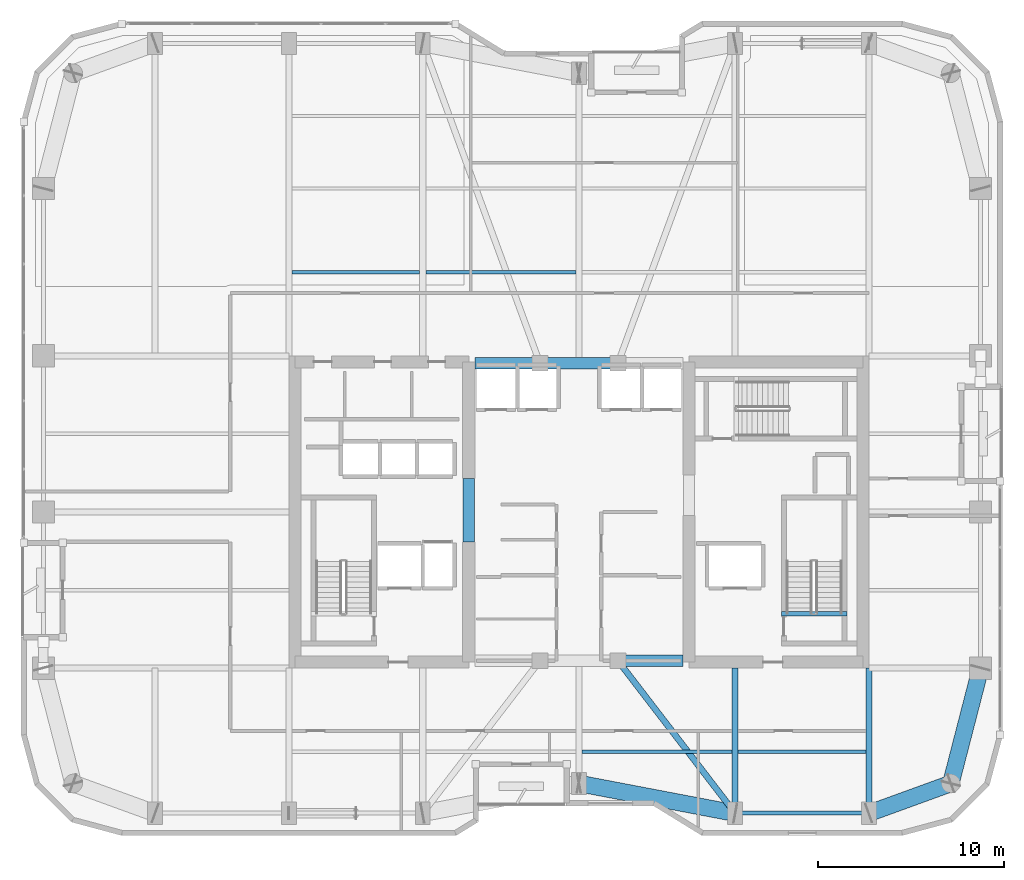
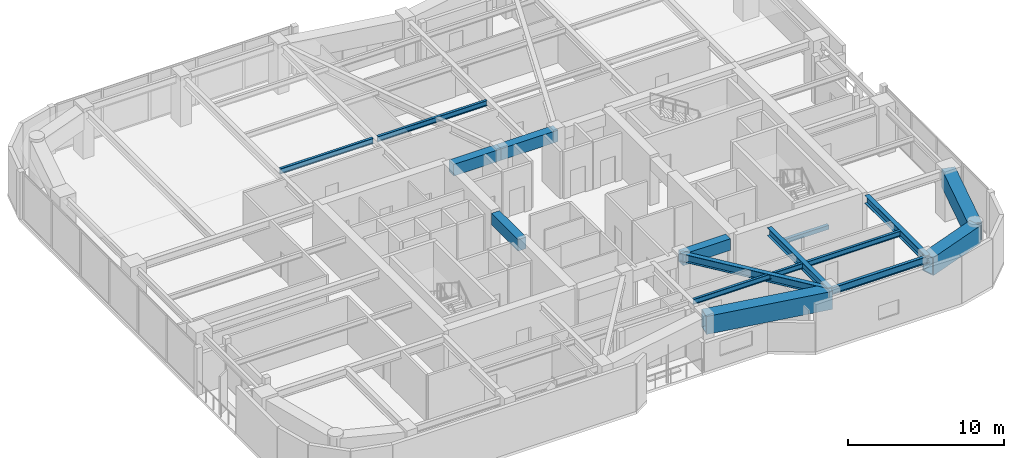
# One storey, part 8 of 30: 16 beams.
"""IFC4 building model written with IfcOpenShell, lengths in metres."""

from ifc_helpers import new_model, si_unit, direction, frame, origin, origin_2d, place, context, subcontext, project, spatial, rectangle, hollow_rectangle, i_section, extrude, material, material_profile, profile_set, type_object, element, save


model = new_model("IFC4")

# Units and contexts
model_context = context("Model", 3, precision=1e-05, world=origin(), true_north=direction((0.0, 1.0)))
body_context = subcontext(model_context, "Body", "Model", "MODEL_VIEW")
ifc_project = project(units=[si_unit("LENGTHUNIT", "METRE"), si_unit("AREAUNIT", "SQUARE_METRE"), si_unit("VOLUMEUNIT", "CUBIC_METRE"), si_unit("PLANEANGLEUNIT", "RADIAN"), si_unit("MASSUNIT", "GRAM", prefix="KILO")], contexts=[model_context])

# Site, building, storey
site_placement = place(None, origin())
site = spatial("IfcSite", under=ifc_project, at=site_placement, CompositionType="ELEMENT")
building_placement = place(site_placement, origin())
building = spatial("IfcBuilding", under=site, at=building_placement, Name="Kiyonajd Concourse Tower", CompositionType="ELEMENT")
storey_placement = place(building_placement, frame((0.0, 0.0, 190.199951171875)))
storey = spatial("IfcBuildingStorey", under=building, at=storey_placement, Name="L48", CompositionType="ELEMENT", Elevation=190.199951171875)

# Beams
ifc_material_1 = material(Name="Concrete C60/75", Category="concrete")
ifc_material_profile_1 = material_profile(ifc_material_1, rectangle(XDim=0.60009765625, YDim=0.89990234375, at=origin_2d()), Name="RCBM-600x900")
ifc_profile_set_1 = profile_set([ifc_material_profile_1], Name="Concrete C60/75")
beam_type_1 = type_object("IfcBeamType", Name="BM-COUP-900", PredefinedType="LINTEL", material=ifc_profile_set_1)
for number, where, z_axis, x_axis, name in (
    (1, (50.10009765625, 28.0, 3.22998046875), (1.0, 0.0, 0.0), (0.0, 1.0, 0.0), "L48 Core Coupling Beam S3"),
    (2, (42.39990234375, 44.0, 3.22998046875), (1.0, 0.0, 0.0), (0.0, 1.0, 0.0), "L48 Core Coupling Beam N1"),
):
    element("IfcBeam", number, at=place(storey_placement, frame(where, z_axis=z_axis, x_axis=x_axis)), inside=storey, type_object=beam_type_1, Name=name, PredefinedType="LINTEL", context=body_context, shape_type="SweptSolid", body=[
        extrude(rectangle(XDim=0.60009765625, YDim=0.89990234375, at=origin_2d()), origin(), (0.0, 0.0, 1.0), 3.5),
    ])
beam_1_placement = place(storey_placement, frame((45.89990234375, 44.0, 3.22998046875), z_axis=(1.0, 0.0, 0.0), x_axis=(0.0, 1.0, 0.0)))
element("IfcBeam", 3, at=beam_1_placement, inside=storey, type_object=beam_type_1, Name="L48 Core Coupling Beam N2", PredefinedType="LINTEL", context=body_context, shape_type="SweptSolid", body=[
    extrude(rectangle(XDim=0.60009765625, YDim=0.89990234375, at=origin_2d()), origin(), (0.0, 0.0, 1.0), 4.2001953125),
])
beam_2_placement = place(storey_placement, frame((42.074951171875, 34.39990234375, 3.22998046875), z_axis=(0.0, 1.0, 0.0), x_axis=(-1.0, 0.0, 0.0)))
element("IfcBeam", 4, at=beam_2_placement, inside=storey, type_object=beam_type_1, Name="L48 West Core Throat Coupling Lintel", PredefinedType="LINTEL", context=body_context, shape_type="SweptSolid", body=[
    extrude(rectangle(XDim=0.60009765625, YDim=0.89990234375, at=origin_2d()), origin(), (0.0, 0.0, 1.0), 3.400146484375),
])
ifc_material_2 = material(Name="Steel ASTM A992 Grade 50", Category="steel")
ifc_material_profile_2 = material_profile(ifc_material_2, i_section(OverallWidth=0.180908203125, OverallDepth=0.4169921875, WebThickness=0.010986328125, FlangeThickness=0.018310546875, at=origin_2d()), Name="W410X85")
ifc_profile_set_2 = profile_set([ifc_material_profile_2], Name="Steel ASTM A992 Grade 50")
beam_type_2 = type_object("IfcBeamType", Name="BM-JST-410", PredefinedType="JOIST", material=ifc_profile_set_2)
beam_3_placement = place(storey_placement, frame((48.16357421875, 23.10009765625, 3.471435546875), z_axis=(1.0, 0.0, 0.0), x_axis=(0.0, 1.0, 0.0)))
element("IfcBeam", 5, at=beam_3_placement, inside=storey, type_object=beam_type_2, Name="L48 Secondary Floor Joist", PredefinedType="JOIST", context=body_context, shape_type="SweptSolid", body=[
    extrude(i_section(OverallWidth=0.180908203125, OverallDepth=0.4169921875, WebThickness=0.010986328125, FlangeThickness=0.018310546875, at=origin_2d()), origin(), (0.0, 0.0, 1.0), 8.072998046875),
])
for number, where, z_axis, x_axis, name in (
    (6, (56.5634765625, 23.10009765625, 3.471435546875), (1.0, 0.0, 0.0), (0.0, 1.0, 0.0), "L48 Secondary Floor Joist"),
    (7, (32.5634765625, 48.89990234375, 3.471435546875), (1.0, 0.0, 0.0), (0.0, 1.0, 0.0), "L48 Secondary Floor Joist"),
):
    element("IfcBeam", number, at=place(storey_placement, frame(where, z_axis=z_axis, x_axis=x_axis)), inside=storey, type_object=beam_type_2, Name=name, PredefinedType="JOIST", context=body_context, shape_type="SweptSolid", body=[
        extrude(i_section(OverallWidth=0.180908203125, OverallDepth=0.4169921875, WebThickness=0.010986328125, FlangeThickness=0.018310546875, at=origin_2d()), origin(), (0.0, 0.0, 1.0), 6.873046875),
    ])
beam_4_placement = place(storey_placement, frame((39.763427734375, 48.89990234375, 3.471435546875), z_axis=(1.0, 0.0, 0.0), x_axis=(0.0, 1.0, 0.0)))
element("IfcBeam", 8, at=beam_4_placement, inside=storey, type_object=beam_type_2, Name="L48 Secondary Floor Joist", PredefinedType="JOIST", context=body_context, shape_type="SweptSolid", body=[
    extrude(i_section(OverallWidth=0.180908203125, OverallDepth=0.4169921875, WebThickness=0.010986328125, FlangeThickness=0.018310546875, at=origin_2d()), origin(), (0.0, 0.0, 1.0), 8.072998046875),
])
ifc_material_3 = material(Name="Concrete C50/60", Category="concrete")
ifc_material_profile_3 = material_profile(ifc_material_3, rectangle(XDim=0.239990234375, YDim=0.320068359375, at=origin_2d()), Name="RCBM-240x320")
ifc_profile_set_3 = profile_set([ifc_material_profile_3], Name="Concrete C50/60")
beam_type_3 = type_object("IfcBeamType", Name="BM-LNT-250", PredefinedType="LINTEL", material=ifc_profile_set_3)
beam_5_placement = place(storey_placement, frame((58.889892578125, 30.530029296875, -0.159912109375), z_axis=(1.0, 0.0, 0.0), x_axis=(0.0, 1.0, 0.0)))
element("IfcBeam", 9, at=beam_5_placement, inside=storey, type_object=beam_type_3, Name="L48 Stair ST2 Threshold Support Beam", PredefinedType="LINTEL", context=body_context, shape_type="SweptSolid", body=[
    extrude(rectangle(XDim=0.239990234375, YDim=0.320068359375, at=origin_2d()), origin(), (0.0, 0.0, 1.0), 3.52001953125),
])
ifc_material_profile_4 = material_profile(ifc_material_2, i_section(OverallWidth=0.214111328125, OverallDepth=0.549072265625, WebThickness=0.0146484375, FlangeThickness=0.023681640625, at=origin_2d()), Name="W530X138")
ifc_profile_set_4 = profile_set([ifc_material_profile_4], Name="Steel ASTM A992 Grade 50")
beam_type_4 = type_object("IfcBeamType", Name="BM-SPAN-530A", PredefinedType="SPANDREL", material=ifc_profile_set_4)
beam_6_placement = place(storey_placement, frame((56.39990234375, 19.800048828125, 3.405517578125), z_axis=(1.0, 0.0, 0.0), x_axis=(0.0, 1.0, 0.0)))
element("IfcBeam", 10, at=beam_6_placement, inside=storey, type_object=beam_type_4, Name="L48 Perimeter Bundled Tube Spandrel", PredefinedType="SPANDREL", context=body_context, shape_type="SweptSolid", body=[
    extrude(i_section(OverallWidth=0.214111328125, OverallDepth=0.549072265625, WebThickness=0.0146484375, FlangeThickness=0.023681640625, at=origin_2d()), origin(), (0.0, 0.0, 1.0), 7.2001953125),
])
ifc_material_profile_5 = material_profile(ifc_material_2, i_section(OverallWidth=0.326904296875, OverallDepth=0.6220703125, WebThickness=0.015380859375, FlangeThickness=0.0244140625, at=origin_2d()), Name="W610X195")
ifc_profile_set_5 = profile_set([ifc_material_profile_5], Name="Steel ASTM A992 Grade 50")
beam_type_5 = type_object("IfcBeamType", Name="BM-TWR-610A", PredefinedType="BEAM", material=ifc_profile_set_5)
beam_7_placement = place(storey_placement, frame((50.10009765625, 28.0, 3.369140625), z_axis=(0.609233709922, -0.792990722956, 0.0), x_axis=(0.792990722956, 0.609233709922, 0.0)))
element("IfcBeam", 11, at=beam_7_placement, inside=storey, type_object=beam_type_5, Name="L48 Core Tie Girder", PredefinedType="BEAM", context=body_context, shape_type="SweptSolid", body=[
    extrude(i_section(OverallWidth=0.326904296875, OverallDepth=0.6220703125, WebThickness=0.015380859375, FlangeThickness=0.0244140625, at=origin_2d()), origin(), (0.0, 0.0, 1.0), 10.340576171875),
])
for number, where, z_axis, x_axis, name in (
    (12, (56.39990234375, 19.800048828125, 3.369140625), (0.0, 1.0, 0.0), (-1.0, 0.0, 0.0), "L48 South Lease Girder"),
    (13, (63.60009765625, 19.800048828125, 3.369140625), (0.0, 1.0, 0.0), (-1.0, 0.0, 0.0), "L48 South Lease Girder"),
):
    element("IfcBeam", number, at=place(storey_placement, frame(where, z_axis=z_axis, x_axis=x_axis)), inside=storey, type_object=beam_type_5, Name=name, PredefinedType="BEAM", context=body_context, shape_type="SweptSolid", body=[
        extrude(i_section(OverallWidth=0.326904296875, OverallDepth=0.6220703125, WebThickness=0.015380859375, FlangeThickness=0.0244140625, at=origin_2d()), origin(), (0.0, 0.0, 1.0), 7.800048828125),
    ])
ifc_material_4 = material(Name="Steel ASTM A572 Grade 50", Category="steel")
ifc_material_profile_6 = material_profile(ifc_material_4, hollow_rectangle(XDim=0.89990234375, YDim=1.39990234375, WallThickness=0.070068359375, at=origin_2d()), Name="BOX-1400x900x70")
ifc_profile_set_6 = profile_set([ifc_material_profile_6], Name="Steel ASTM A572 Grade 50")
beam_type_6 = type_object("IfcBeamType", Name="BM-XFER-1400", PredefinedType="BEAM", material=ifc_profile_set_6)
beam_8_placement = place(storey_placement, frame((48.0, 21.39990234375, 2.97998046875), z_axis=(0.982341315253, -0.187097675953, 0.0), x_axis=(0.187097675953, 0.982341315253, 0.0)))
element("IfcBeam", 14, at=beam_8_placement, inside=storey, type_object=beam_type_6, Name="L48 Perimeter Bundled Tube Spandrel", PredefinedType="BEAM", context=body_context, shape_type="SweptSolid", body=[
    extrude(hollow_rectangle(XDim=0.89990234375, YDim=1.39990234375, WallThickness=0.070068359375, at=origin_2d()), origin(), (0.0, 0.0, 1.0), 8.55078125),
])
beam_9_placement = place(storey_placement, frame((63.60009765625, 19.800048828125, 2.97998046875), z_axis=(0.939801036019, 0.341722127901, 0.0), x_axis=(-0.341722127901, 0.939801036019, 0.0)))
element("IfcBeam", 15, at=beam_9_placement, inside=storey, type_object=beam_type_6, Name="L48 Perimeter Bundled Tube Spandrel", PredefinedType="BEAM", context=body_context, shape_type="SweptSolid", body=[
    extrude(hollow_rectangle(XDim=0.89990234375, YDim=1.39990234375, WallThickness=0.070068359375, at=origin_2d()), origin(), (0.0, 0.0, 1.0), 4.681640625),
])
beam_10_placement = place(storey_placement, frame((68.0, 21.39990234375, 2.97998046875), z_axis=(0.249884937687, 0.968275538221, 0.0), x_axis=(-0.968275538221, 0.249884937687, 0.0)))
element("IfcBeam", 16, at=beam_10_placement, inside=storey, type_object=beam_type_6, Name="L48 Perimeter Bundled Tube Spandrel", PredefinedType="BEAM", context=body_context, shape_type="SweptSolid", body=[
    extrude(hollow_rectangle(XDim=0.89990234375, YDim=1.39990234375, WallThickness=0.070068359375, at=origin_2d()), origin(), (0.0, 0.0, 1.0), 6.4033203125),
])

save(model, "model.ifc")
